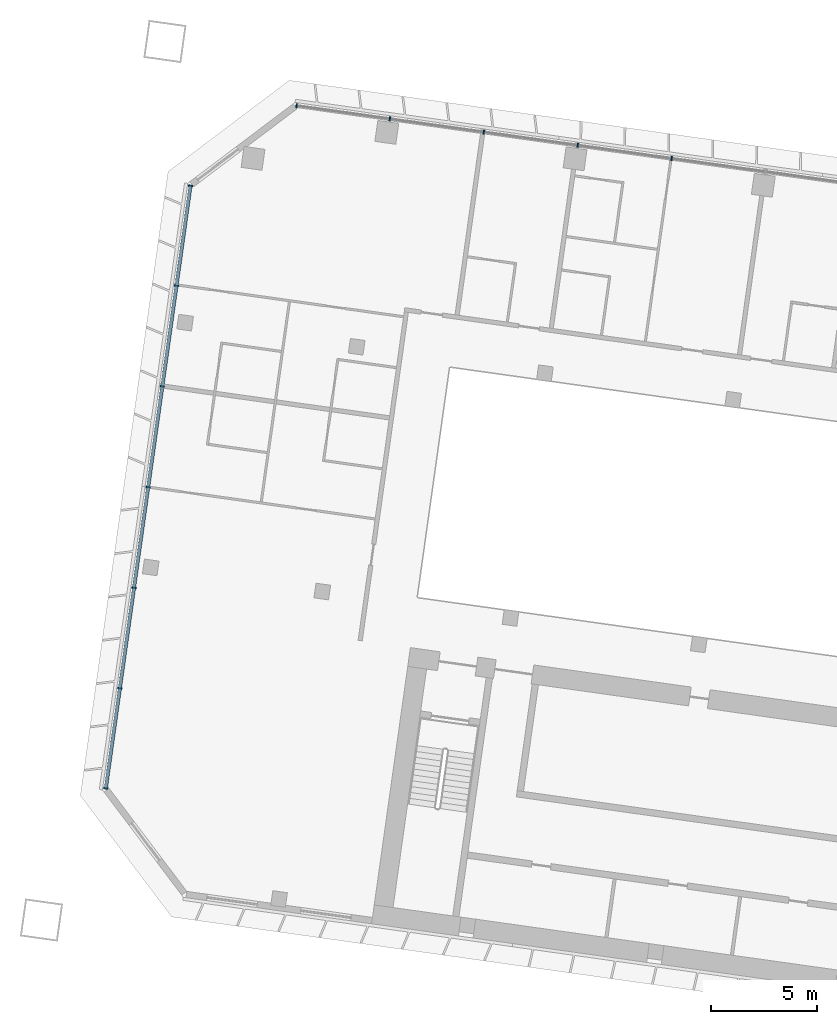
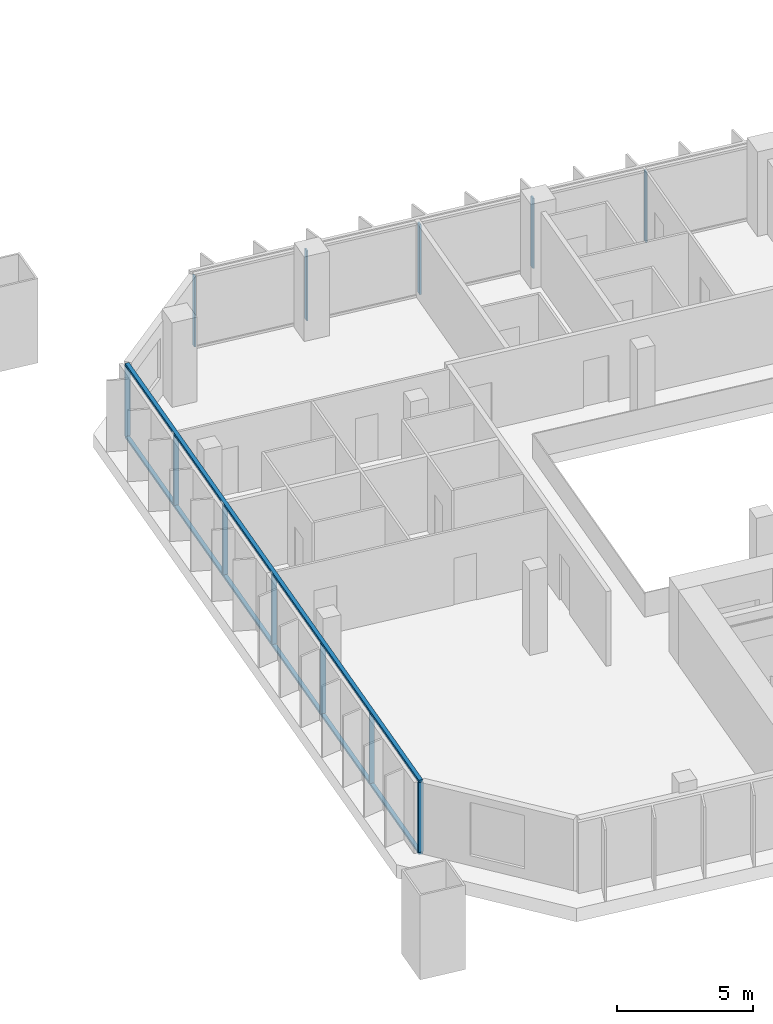
# One storey, part 2 of 25: 14 members, 2 elements without a shape of their own.
"""IFC4 building model written with IfcOpenShell, lengths in metres."""

from ifc_helpers import new_model, si_unit, direction, frame, origin, origin_2d, place, context, subcontext, project, spatial, rectangle, extrude, material, material_profile, profile_set, type_object, element, aggregate, save


model = new_model("IFC4")

# Units and contexts
model_context = context("Model", 3, precision=1e-05, world=origin(), true_north=direction((0.0, 1.0)))
body_context = subcontext(model_context, "Body", "Model", "MODEL_VIEW")
ifc_project = project(units=[si_unit("LENGTHUNIT", "METRE"), si_unit("AREAUNIT", "SQUARE_METRE"), si_unit("VOLUMEUNIT", "CUBIC_METRE"), si_unit("PLANEANGLEUNIT", "RADIAN"), si_unit("MASSUNIT", "GRAM", prefix="KILO")], contexts=[model_context])

# Site, building, storey
site_placement = place(None, origin())
site = spatial("IfcSite", under=ifc_project, at=site_placement, CompositionType="ELEMENT")
building_placement = place(site_placement, origin())
building = spatial("IfcBuilding", under=site, at=building_placement, Name="Mirante Cascada Hotel Towers", CompositionType="ELEMENT")
storey_placement = place(building_placement, frame((0.0, 0.0, 54.7)))
storey = spatial("IfcBuildingStorey", under=building, at=storey_placement, Name="L10", CompositionType="ELEMENT", Elevation=54.7)

# Curtain wall, members
ifc_material_1 = material(Name="Aluminium mullion and transom frame with clear laminated glass", Category="aluminium")
curtain_wall_type_1 = type_object("IfcCurtainWallType", Name="Ribbon curtain wall ECW1", PredefinedType="NOTDEFINED", material=ifc_material_1)
curtain_wall_1_placement = place(storey_placement, origin())
curtain_wall_1 = element("IfcCurtainWall", 1, at=curtain_wall_1_placement, inside=storey, type_object=curtain_wall_type_1, Name="Front ribbon wall T1 L10", PredefinedType="NOTDEFINED")
ifc_material_2 = material(Name="Anodised aluminium extrusion", Category="aluminium")
ifc_material_profile_1 = material_profile(ifc_material_2, rectangle(XDim=0.2, YDim=0.065, at=origin_2d()), Name="ECW1 MULLION 65x200")
ifc_profile_set_1 = profile_set([ifc_material_profile_1], Name="Anodised aluminium extrusion")
member_type_1 = type_object("IfcMemberType", Name="ECW1 mullion 65x200", PredefinedType="MULLION", material=ifc_profile_set_1)
member_1_placement = place(storey_placement, frame((-94.126, 26.0476, 0.1), z_axis=(0.0, 0.0, 1.0), x_axis=(0.1391731, 0.9902681, 0.0)))
member_1 = element("IfcMember", 2, at=member_1_placement, type_object=member_type_1, Name="ECW1 mullion 1", PredefinedType="MULLION", context=body_context, shape_type="SweptSolid", body=[
    extrude(rectangle(XDim=0.2, YDim=0.065, at=origin_2d()), origin(), (0.0, 0.0, 1.0), 3.15),
])
member_2_placement = place(storey_placement, frame((-89.7107, 25.427, 0.1), z_axis=(0.0, 0.0, 1.0), x_axis=(0.1391731, 0.9902681, 0.0)))
member_2 = element("IfcMember", 3, at=member_2_placement, type_object=member_type_1, Name="ECW1 mullion 2", PredefinedType="MULLION", context=body_context, shape_type="SweptSolid", body=[
    extrude(rectangle(XDim=0.2, YDim=0.065, at=origin_2d()), origin(), (0.0, 0.0, 1.0), 3.15),
])
member_3_placement = place(storey_placement, frame((-85.2633, 24.802, 0.1), z_axis=(0.0, 0.0, 1.0), x_axis=(0.1391731, 0.9902681, 0.0)))
member_3 = element("IfcMember", 4, at=member_3_placement, type_object=member_type_1, Name="ECW1 mullion 3", PredefinedType="MULLION", context=body_context, shape_type="SweptSolid", body=[
    extrude(rectangle(XDim=0.2, YDim=0.065, at=origin_2d()), origin(), (0.0, 0.0, 1.0), 3.15),
])
member_4_placement = place(storey_placement, frame((-80.8159, 24.177, 0.1), z_axis=(0.0, 0.0, 1.0), x_axis=(0.1391731, 0.9902681, 0.0)))
member_4 = element("IfcMember", 5, at=member_4_placement, type_object=member_type_1, Name="ECW1 mullion 4", PredefinedType="MULLION", context=body_context, shape_type="SweptSolid", body=[
    extrude(rectangle(XDim=0.2, YDim=0.065, at=origin_2d()), origin(), (0.0, 0.0, 1.0), 3.15),
])
member_5_placement = place(storey_placement, frame((-76.3685, 23.5519, 0.1), z_axis=(0.0, 0.0, 1.0), x_axis=(0.1391731, 0.9902681, 0.0)))
member_5 = element("IfcMember", 6, at=member_5_placement, type_object=member_type_1, Name="ECW1 mullion 5", PredefinedType="MULLION", context=body_context, shape_type="SweptSolid", body=[
    extrude(rectangle(XDim=0.2, YDim=0.065, at=origin_2d()), origin(), (0.0, 0.0, 1.0), 3.15),
])
aggregate(curtain_wall_1, [member_1, member_2, member_3, member_4, member_5])

ifc_material_3 = material(Name="Aluminium mullion and transom frame with clear laminated glass", Category="aluminium")
curtain_wall_type_2 = type_object("IfcCurtainWallType", Name="End ribbon curtain wall ECW2", PredefinedType="NOTDEFINED", material=ifc_material_3)
curtain_wall_2_placement = place(storey_placement, origin())
curtain_wall_2 = element("IfcCurtainWall", 7, at=curtain_wall_2_placement, inside=storey, type_object=curtain_wall_type_2, Name="Outer end wall T1 L10", PredefinedType="NOTDEFINED")
ifc_material_4 = material(Name="Anodised aluminium extrusion", Category="aluminium")
ifc_material_profile_2 = material_profile(ifc_material_4, rectangle(XDim=0.2, YDim=0.065, at=origin_2d()), Name="ECW2 MULLION 65x200")
ifc_profile_set_2 = profile_set([ifc_material_profile_2], Name="Anodised aluminium extrusion")
member_type_2 = type_object("IfcMemberType", Name="ECW2 mullion 65x200", PredefinedType="MULLION", material=ifc_profile_set_2)
member_6_placement = place(storey_placement, frame((-103.1556, -6.2656, 0.1), z_axis=(0.0, 0.0, 1.0), x_axis=(-0.9902681, 0.1391731, 0.0)))
member_6 = element("IfcMember", 8, at=member_6_placement, type_object=member_type_2, Name="ECW2 mullion 1", PredefinedType="MULLION", context=body_context, shape_type="SweptSolid", body=[
    extrude(rectangle(XDim=0.2, YDim=0.065, at=origin_2d()), origin(), (0.0, 0.0, 1.0), 3.15),
])
member_7_placement = place(storey_placement, frame((-102.4903, -1.532, 0.1), z_axis=(0.0, 0.0, 1.0), x_axis=(-0.9902681, 0.1391731, 0.0)))
member_7 = element("IfcMember", 9, at=member_7_placement, type_object=member_type_2, Name="ECW2 mullion 2", PredefinedType="MULLION", context=body_context, shape_type="SweptSolid", body=[
    extrude(rectangle(XDim=0.2, YDim=0.065, at=origin_2d()), origin(), (0.0, 0.0, 1.0), 3.15),
])
member_8_placement = place(storey_placement, frame((-101.8205, 3.2338, 0.1), z_axis=(0.0, 0.0, 1.0), x_axis=(-0.9902681, 0.1391731, 0.0)))
member_8 = element("IfcMember", 10, at=member_8_placement, type_object=member_type_2, Name="ECW2 mullion 3", PredefinedType="MULLION", context=body_context, shape_type="SweptSolid", body=[
    extrude(rectangle(XDim=0.2, YDim=0.065, at=origin_2d()), origin(), (0.0, 0.0, 1.0), 3.15),
])
member_9_placement = place(storey_placement, frame((-101.1508, 7.9996, 0.1), z_axis=(0.0, 0.0, 1.0), x_axis=(-0.9902681, 0.1391731, 0.0)))
member_9 = element("IfcMember", 11, at=member_9_placement, type_object=member_type_2, Name="ECW2 mullion 4", PredefinedType="MULLION", context=body_context, shape_type="SweptSolid", body=[
    extrude(rectangle(XDim=0.2, YDim=0.065, at=origin_2d()), origin(), (0.0, 0.0, 1.0), 3.15),
])
member_10_placement = place(storey_placement, frame((-100.481, 12.7654, 0.1), z_axis=(0.0, 0.0, 1.0), x_axis=(-0.9902681, 0.1391731, 0.0)))
member_10 = element("IfcMember", 12, at=member_10_placement, type_object=member_type_2, Name="ECW2 mullion 5", PredefinedType="MULLION", context=body_context, shape_type="SweptSolid", body=[
    extrude(rectangle(XDim=0.2, YDim=0.065, at=origin_2d()), origin(), (0.0, 0.0, 1.0), 3.15),
])
member_11_placement = place(storey_placement, frame((-99.8112, 17.5312, 0.1), z_axis=(0.0, 0.0, 1.0), x_axis=(-0.9902681, 0.1391731, 0.0)))
member_11 = element("IfcMember", 13, at=member_11_placement, type_object=member_type_2, Name="ECW2 mullion 6", PredefinedType="MULLION", context=body_context, shape_type="SweptSolid", body=[
    extrude(rectangle(XDim=0.2, YDim=0.065, at=origin_2d()), origin(), (0.0, 0.0, 1.0), 3.15),
])
member_12_placement = place(storey_placement, frame((-99.1459, 22.2648, 0.1), z_axis=(0.0, 0.0, 1.0), x_axis=(-0.9902681, 0.1391731, 0.0)))
member_12 = element("IfcMember", 14, at=member_12_placement, type_object=member_type_2, Name="ECW2 mullion 7", PredefinedType="MULLION", context=body_context, shape_type="SweptSolid", body=[
    extrude(rectangle(XDim=0.2, YDim=0.065, at=origin_2d()), origin(), (0.0, 0.0, 1.0), 3.15),
])
ifc_material_5 = material(Name="Anodised aluminium extrusion", Category="aluminium")
ifc_material_profile_3 = material_profile(ifc_material_5, rectangle(XDim=0.16, YDim=0.1, at=origin_2d()), Name="ECW2 TRANSOM 100x160")
ifc_profile_set_3 = profile_set([ifc_material_profile_3], Name="Anodised aluminium extrusion")
member_type_3 = type_object("IfcMemberType", Name="ECW2 transom 100x160", PredefinedType="USERDEFINED", material=ifc_profile_set_3)
member_13_placement = place(storey_placement, frame((-103.1601, -6.2978, 0.05), z_axis=(0.1391723, 0.9902682, 0.0), x_axis=(-0.9902682, 0.1391723, 0.0)))
member_13 = element("IfcMember", 15, at=member_13_placement, type_object=member_type_3, Name="ECW2 sill transom", ObjectType="TRANSOM", PredefinedType="USERDEFINED", context=body_context, shape_type="SweptSolid", body=[
    extrude(rectangle(XDim=0.16, YDim=0.1, at=origin_2d()), origin(), (0.0, 0.0, 1.0), 28.8757),
])
member_14_placement = place(storey_placement, frame((-103.1601, -6.2978, 3.3), z_axis=(0.1391723, 0.9902682, 0.0), x_axis=(-0.9902682, 0.1391723, 0.0)))
member_14 = element("IfcMember", 16, at=member_14_placement, type_object=member_type_3, Name="ECW2 head transom", ObjectType="TRANSOM", PredefinedType="USERDEFINED", context=body_context, shape_type="SweptSolid", body=[
    extrude(rectangle(XDim=0.16, YDim=0.1, at=origin_2d()), origin(), (0.0, 0.0, 1.0), 28.8757),
])
aggregate(curtain_wall_2, [member_13, member_14, member_6, member_7, member_8, member_9, member_10, member_11, member_12])

save(model, "model.ifc")
